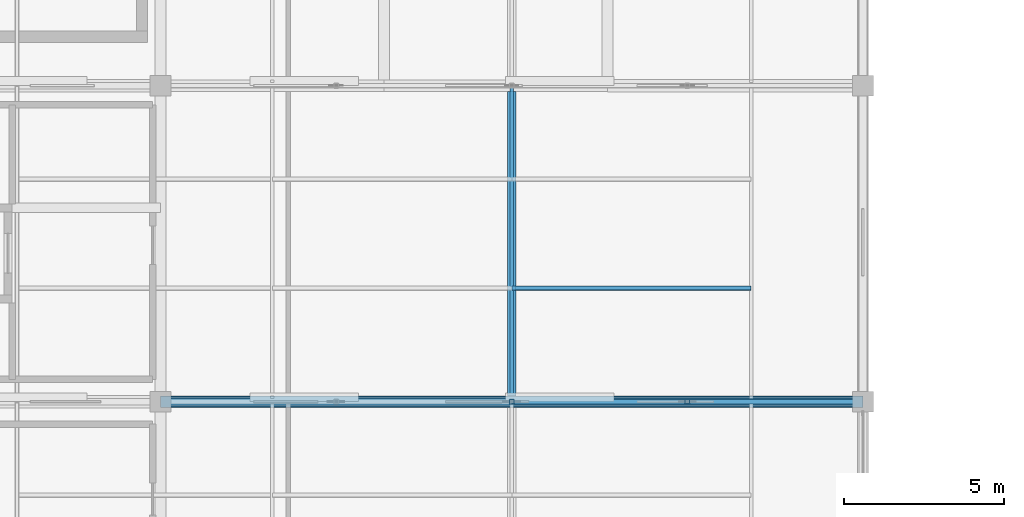
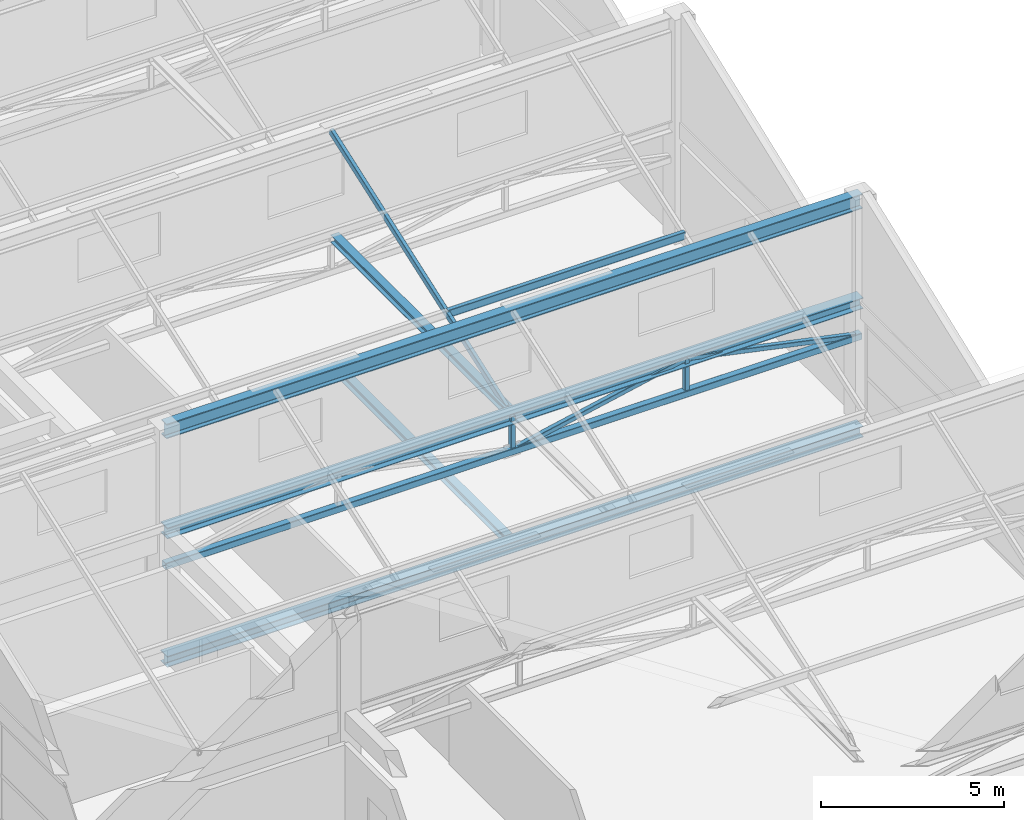
# One storey, part 19 of 35: 7 members, 5 beams.
"""IFC4 building model written with IfcOpenShell, lengths in metres."""

from ifc_helpers import new_model, si_unit, direction, frame, origin, origin_2d, place, context, subcontext, project, spatial, hollow_rectangle, i_section, extrude, material, material_profile, profile_set, type_object, element, save


model = new_model("IFC4")

# Units and contexts
model_context = context("Model", 3, precision=1e-05, world=origin(), true_north=direction((0.0, 1.0)))
body_context = subcontext(model_context, "Body", "Model", "MODEL_VIEW")
ifc_project = project(units=[si_unit("LENGTHUNIT", "METRE"), si_unit("AREAUNIT", "SQUARE_METRE"), si_unit("VOLUMEUNIT", "CUBIC_METRE"), si_unit("PLANEANGLEUNIT", "RADIAN"), si_unit("MASSUNIT", "GRAM", prefix="KILO")], contexts=[model_context])

# Site, building, storey
site_placement = place(None, origin())
site = spatial("IfcSite", under=ifc_project, at=site_placement, CompositionType="ELEMENT")
building_placement = place(site_placement, origin())
building = spatial("IfcBuilding", under=site, at=building_placement, Name="Sillaruma Civic Art Gallery", CompositionType="ELEMENT")
storey_placement = place(building_placement, frame((0.0, 0.0, 74.4599609375)))
storey = spatial("IfcBuildingStorey", under=building, at=storey_placement, Name="L15", CompositionType="ELEMENT", Elevation=74.4599609375)

# Beams
ifc_material_1 = material(Name="Structural Steel ASTM A992 Gr.50", Category="steel")
ifc_material_profile_1 = material_profile(ifc_material_1, i_section(OverallWidth=0.256103515625, OverallDepth=0.260009765625, WebThickness=0.0107421875, FlangeThickness=0.017333984375, FilletRadius=0.012939453125, at=origin_2d()), Name="W250x89")
ifc_profile_set_1 = profile_set([ifc_material_profile_1], Name="Structural Steel ASTM A992 Gr.50")
beam_type_1 = type_object("IfcBeamType", Name="BM-JOIST-W250x89", PredefinedType="JOIST", material=ifc_profile_set_1)
beam_1_placement = place(storey_placement, frame((81.0, 69.485595703125, -0.3798828125), z_axis=(0.0, 1.0, 0.0), x_axis=(-1.0, 0.0, 0.0)))
element("IfcBeam", 1, at=beam_1_placement, inside=storey, type_object=beam_type_1, Name="Long-Span Gallery Joist JS-04 (L14:8-9)", PredefinedType="JOIST", context=body_context, shape_type="SweptSolid", body=[
    extrude(i_section(OverallWidth=0.256103515625, OverallDepth=0.260009765625, WebThickness=0.0107421875, FlangeThickness=0.017333984375, FilletRadius=0.012939453125, at=origin_2d()), origin(), (0.0, 0.0, 1.0), 9.539306640625),
])
ifc_material_profile_2 = material_profile(ifc_material_1, i_section(OverallWidth=0.256103515625, OverallDepth=0.260009765625, WebThickness=0.0107421875, FlangeThickness=0.017333984375, FilletRadius=0.012939453125, at=origin_2d()), Name="W250x89")
ifc_profile_set_2 = profile_set([ifc_material_profile_2], Name="Structural Steel ASTM A992 Gr.50")
beam_type_2 = type_object("IfcBeamType", Name="BM-RJOIST-W250x89", PredefinedType="JOIST", material=ifc_profile_set_2)
beam_2_placement = place(storey_placement, frame((81.0, 69.485595703125, 3.91015625), z_axis=(0.0, 1.0, 0.0), x_axis=(-1.0, 0.0, 0.0)))
element("IfcBeam", 2, at=beam_2_placement, inside=storey, type_object=beam_type_2, Name="Long-Span Gallery Joist JSR-04 (L15:8-9)", PredefinedType="JOIST", context=body_context, shape_type="SweptSolid", body=[
    extrude(i_section(OverallWidth=0.256103515625, OverallDepth=0.260009765625, WebThickness=0.0107421875, FlangeThickness=0.017333984375, FilletRadius=0.012939453125, at=origin_2d()), origin(), (0.0, 0.0, 1.0), 9.52880859375),
])
ifc_material_profile_3 = material_profile(ifc_material_1, i_section(OverallWidth=0.282958984375, OverallDepth=0.489013671875, WebThickness=0.01708984375, FlangeThickness=0.030517578125, FilletRadius=0.014892578125, at=origin_2d()), Name="W460x193")
ifc_profile_set_3 = profile_set([ifc_material_profile_3], Name="Structural Steel ASTM A992 Gr.50")
beam_type_3 = type_object("IfcBeamType", Name="BM-SAW-W460x193", PredefinedType="BEAM", material=ifc_profile_set_3)
beam_3_placement = place(storey_placement, frame((70.0, 69.300048828125, 7.239990234375), z_axis=(1.0, 0.0, 0.0), x_axis=(0.0, 1.0, 0.0)))
element("IfcBeam", 3, at=beam_3_placement, inside=storey, type_object=beam_type_3, Name="Sawtooth Ridge Steel Girder (3)", PredefinedType="BEAM", context=body_context, shape_type="SweptSolid", body=[
    extrude(i_section(OverallWidth=0.282958984375, OverallDepth=0.489013671875, WebThickness=0.01708984375, FlangeThickness=0.030517578125, FilletRadius=0.014892578125, at=origin_2d()), origin(), (0.0, 0.0, 1.0), 22.0),
])
ifc_material_profile_4 = material_profile(ifc_material_1, i_section(OverallWidth=0.37109375, OverallDepth=0.364013671875, WebThickness=0.01318359375, FlangeThickness=0.021728515625, FilletRadius=0.014892578125, at=origin_2d()), Name="W360x162")
ifc_profile_set_4 = profile_set([ifc_material_profile_4], Name="Structural Steel ASTM A992 Gr.50")
beam_type_4 = type_object("IfcBeamType", Name="BM-TRROF-W360x162", PredefinedType="BEAM", material=ifc_profile_set_4)
beam_4_placement = place(storey_placement, frame((70.0, 69.300048828125, 3.858154296875), z_axis=(1.0, 0.0, 0.0), x_axis=(0.0, 1.0, 0.0)))
element("IfcBeam", 4, at=beam_4_placement, inside=storey, type_object=beam_type_4, Name="Warren Truss Top Chord TR-L15-4", PredefinedType="BEAM", context=body_context, shape_type="SweptSolid", body=[
    extrude(i_section(OverallWidth=0.37109375, OverallDepth=0.364013671875, WebThickness=0.01318359375, FlangeThickness=0.021728515625, FilletRadius=0.014892578125, at=origin_2d()), origin(), (0.0, 0.0, 1.0), 22.0),
])
ifc_material_profile_5 = material_profile(ifc_material_1, i_section(OverallWidth=0.37109375, OverallDepth=0.364013671875, WebThickness=0.01318359375, FlangeThickness=0.021728515625, FilletRadius=0.014892578125, at=origin_2d()), Name="W360x162")
ifc_profile_set_5 = profile_set([ifc_material_profile_5], Name="Structural Steel ASTM A992 Gr.50")
beam_type_5 = type_object("IfcBeamType", Name="BM-TRTOP-W360x162", PredefinedType="BEAM", material=ifc_profile_set_5)
beam_5_placement = place(storey_placement, frame((70.0, 69.300048828125, -0.431884765625), z_axis=(1.0, 0.0, 0.0), x_axis=(0.0, 1.0, 0.0)))
element("IfcBeam", 5, at=beam_5_placement, inside=storey, type_object=beam_type_5, Name="Warren Truss Top Chord TR-L14-3", PredefinedType="BEAM", context=body_context, shape_type="SweptSolid", body=[
    extrude(i_section(OverallWidth=0.37109375, OverallDepth=0.364013671875, WebThickness=0.01318359375, FlangeThickness=0.021728515625, FilletRadius=0.014892578125, at=origin_2d()), origin(), (0.0, 0.0, 1.0), 22.0),
])

# Members
ifc_material_2 = material(Name="Structural Steel ASTM A500 Gr.C", Category="steel")
ifc_material_profile_6 = material_profile(ifc_material_2, hollow_rectangle(XDim=0.14990234375, YDim=0.14990234375, WallThickness=0.010009765625, InnerFilletRadius=0.010009765625, OuterFilletRadius=0.02001953125, at=origin_2d()), Name="HSS150x150x10")
ifc_profile_set_6 = profile_set([ifc_material_profile_6], Name="Structural Steel ASTM A500 Gr.C")
member_type_1 = type_object("IfcMemberType", Name="MEM-BRACE-HSS150x150x10", PredefinedType="BRACE", material=ifc_profile_set_6)
for number, where, z_axis, x_axis, name in (
    (6, (81.0, 69.300048828125, 2.699951171875), (0.978538722809, 0.0, 0.206063019398), (0.0, 1.0, 0.0), "Warren Truss Diagonal TR-L15-4-D3"),
    (7, (86.5, 69.300048828125, 3.858154296875), (0.978538722809, 0.0, -0.206063019398), (0.0, 1.0, 0.0), "Warren Truss Diagonal TR-L15-4-D4"),
):
    element("IfcMember", number, at=place(storey_placement, frame(where, z_axis=z_axis, x_axis=x_axis)), inside=storey, type_object=member_type_1, Name=name, PredefinedType="BRACE", context=body_context, shape_type="SweptSolid", body=[
        extrude(hollow_rectangle(XDim=0.14990234375, YDim=0.14990234375, WallThickness=0.010009765625, InnerFilletRadius=0.010009765625, OuterFilletRadius=0.02001953125, at=origin_2d()), origin(), (0.0, 0.0, 1.0), 5.62060546875),
    ])
ifc_material_profile_7 = material_profile(ifc_material_2, hollow_rectangle(XDim=0.219970703125, YDim=0.219970703125, WallThickness=0.012451171875, InnerFilletRadius=0.012451171875, OuterFilletRadius=0.02490234375, at=origin_2d()), Name="HSS220x220x12.5")
ifc_profile_set_7 = profile_set([ifc_material_profile_7], Name="Structural Steel ASTM A500 Gr.C")
member_type_2 = type_object("IfcMemberType", Name="MEM-CHORD-HSS220x220x12.5", PredefinedType="CHORD", material=ifc_profile_set_7)
member_1_placement = place(storey_placement, frame((70.0, 69.300048828125, 2.699951171875), z_axis=(1.0, 0.0, 0.0), x_axis=(0.0, 1.0, 0.0)))
element("IfcMember", 8, at=member_1_placement, inside=storey, type_object=member_type_2, Name="Warren Truss Bottom Chord TR-L15-4", PredefinedType="CHORD", context=body_context, shape_type="SweptSolid", body=[
    extrude(hollow_rectangle(XDim=0.219970703125, YDim=0.219970703125, WallThickness=0.012451171875, InnerFilletRadius=0.012451171875, OuterFilletRadius=0.02490234375, at=origin_2d()), origin(), (0.0, 0.0, 1.0), 22.0),
])
ifc_material_profile_8 = material_profile(ifc_material_2, hollow_rectangle(XDim=0.14990234375, YDim=0.14990234375, WallThickness=0.010009765625, InnerFilletRadius=0.010009765625, OuterFilletRadius=0.02001953125, at=origin_2d()), Name="HSS150x150x10")
ifc_profile_set_8 = profile_set([ifc_material_profile_8], Name="Structural Steel ASTM A500 Gr.C")
member_type_3 = type_object("IfcMemberType", Name="MEM-POST-HSS150x150x10", PredefinedType="POST", material=ifc_profile_set_8)
for number, where, z_axis, x_axis, name in (
    (9, (81.0, 69.300048828125, 2.699951171875), (0.0, 0.0, 1.0), (1.0, 0.0, 0.0), "Warren Truss Vertical Post TR-L15-4-V2"),
    (10, (86.5, 69.300048828125, 2.699951171875), (0.0, 0.0, 1.0), (1.0, 0.0, 0.0), "Warren Truss Vertical Post TR-L15-4-V3"),
):
    element("IfcMember", number, at=place(storey_placement, frame(where, z_axis=z_axis, x_axis=x_axis)), inside=storey, type_object=member_type_3, Name=name, PredefinedType="POST", context=body_context, shape_type="SweptSolid", body=[
        extrude(hollow_rectangle(XDim=0.14990234375, YDim=0.14990234375, WallThickness=0.010009765625, InnerFilletRadius=0.010009765625, OuterFilletRadius=0.02001953125, at=origin_2d()), origin(), (0.0, 0.0, 1.0), 1.158203125),
    ])
ifc_material_profile_9 = material_profile(ifc_material_2, hollow_rectangle(XDim=0.14990234375, YDim=0.25, WallThickness=0.010009765625, InnerFilletRadius=0.010009765625, OuterFilletRadius=0.02001953125, at=origin_2d()), Name="HSS250x150x10")
ifc_profile_set_9 = profile_set([ifc_material_profile_9], Name="Structural Steel ASTM A500 Gr.C")
member_type_4 = type_object("IfcMemberType", Name="MEM-PUR-HSS250", PredefinedType="PURLIN", material=ifc_profile_set_9)
member_2_placement = place(storey_placement, frame((81.0, 72.85595703125, 5.111083984375), z_axis=(1.0, 0.0, 0.0), x_axis=(0.0, 1.0, 0.0)))
element("IfcMember", 11, at=member_2_placement, inside=storey, type_object=member_type_4, Name="Sawtooth Roof Steel Purlin (4.1.3)", PredefinedType="PURLIN", context=body_context, shape_type="SweptSolid", body=[
    extrude(hollow_rectangle(XDim=0.14990234375, YDim=0.25, WallThickness=0.010009765625, InnerFilletRadius=0.010009765625, OuterFilletRadius=0.02001953125, at=origin_2d()), origin(), (0.0, 0.0, 1.0), 7.5),
])
ifc_material_profile_10 = material_profile(ifc_material_2, hollow_rectangle(XDim=0.1201171875, YDim=0.199951171875, WallThickness=0.008056640625, InnerFilletRadius=0.008056640625, OuterFilletRadius=0.01611328125, at=origin_2d()), Name="HSS200x120x8")
ifc_profile_set_10 = profile_set([ifc_material_profile_10], Name="Structural Steel ASTM A500 Gr.C")
member_type_5 = type_object("IfcMemberType", Name="MEM-RAF-HSS200", PredefinedType="PURLIN", material=ifc_profile_set_10)
member_3_placement = place(storey_placement, frame((81.0, 69.43994140625, 3.900146484375), z_axis=(0.0, 0.942527174953, 0.33412950255), x_axis=(-1.0, 0.0, 0.0)))
element("IfcMember", 12, at=member_3_placement, inside=storey, type_object=member_type_5, Name="Sawtooth Sloped Steel Rafter (4-C)", PredefinedType="PURLIN", context=body_context, shape_type="SweptSolid", body=[
    extrude(hollow_rectangle(XDim=0.1201171875, YDim=0.199951171875, WallThickness=0.008056640625, InnerFilletRadius=0.008056640625, OuterFilletRadius=0.01611328125, at=origin_2d()), origin(), (0.0, 0.0, 1.0), 10.355224609375),
])

save(model, "model.ifc")
